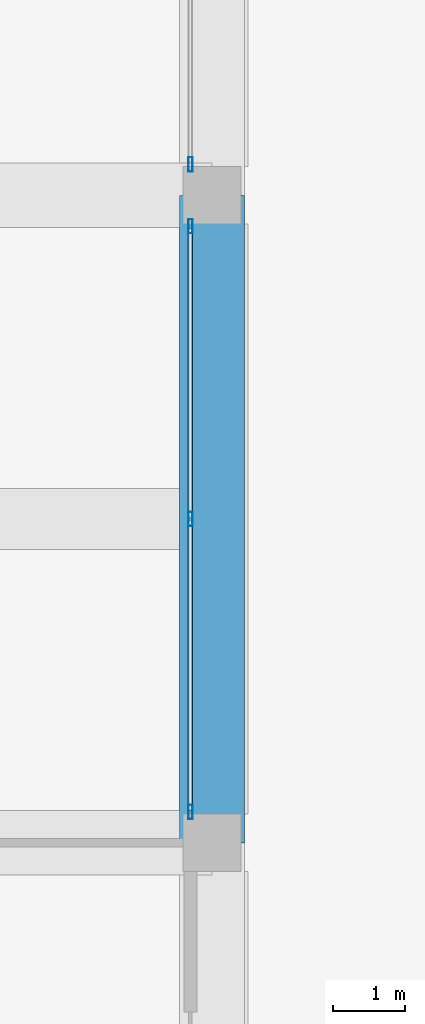
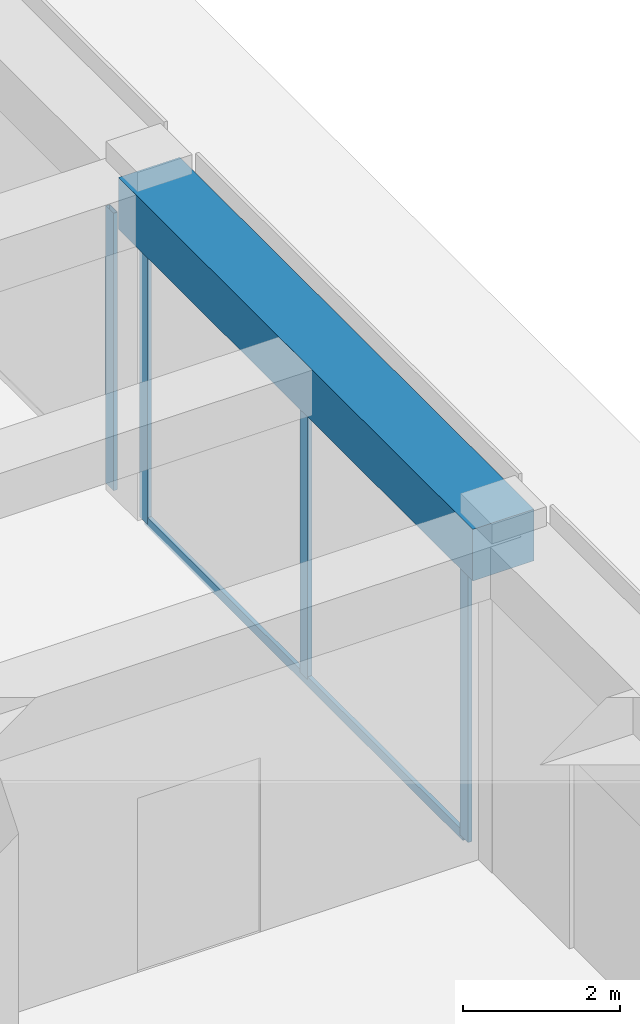
# One storey, part 33 of 56: 5 members, 1 beam, 2 elements without a shape of their own.
"""IFC4 building model written with IfcOpenShell, lengths in metres."""

from ifc_helpers import new_model, si_unit, direction, frame, origin, origin_2d, place, context, subcontext, project, spatial, rectangle, hollow_rectangle, extrude, material, material_profile, profile_set, type_object, element, aggregate, save


model = new_model("IFC4")

# Units and contexts
model_context = context("Model", 3, precision=1e-05, world=origin(), true_north=direction((0.0, 1.0)))
body_context = subcontext(model_context, "Body", "Model", "MODEL_VIEW")
ifc_project = project(units=[si_unit("LENGTHUNIT", "METRE"), si_unit("AREAUNIT", "SQUARE_METRE"), si_unit("VOLUMEUNIT", "CUBIC_METRE"), si_unit("PLANEANGLEUNIT", "RADIAN"), si_unit("MASSUNIT", "GRAM", prefix="KILO")], contexts=[model_context])

# Site, building, storey
site_placement = place(None, origin())
site = spatial("IfcSite", under=ifc_project, at=site_placement, CompositionType="ELEMENT")
building_placement = place(site_placement, origin())
building = spatial("IfcBuilding", under=site, at=building_placement, Name="Zorevar Civic Tower", CompositionType="ELEMENT")
storey_placement = place(building_placement, origin())
storey = spatial("IfcBuildingStorey", under=building, at=storey_placement, Name="L00", CompositionType="ELEMENT", Elevation=0.0)

# Curtain wall, members
ifc_material_1 = material(Name="Dark grey solar-control glass in black aluminium frame", Category="aluminium")
curtain_wall_type = type_object("IfcCurtainWallType", Name="Curtain wall CW1 podium", PredefinedType="NOTDEFINED", material=ifc_material_1)
curtain_wall_1_placement = place(storey_placement, origin())
curtain_wall_1 = element("IfcCurtainWall", 1, at=curtain_wall_1_placement, inside=storey, type_object=curtain_wall_type, Name="CW1 L00", PredefinedType="NOTDEFINED")
ifc_material_2 = material(Name="Aluminium, black anodised", Category="aluminium")
ifc_material_profile_1 = material_profile(ifc_material_2, hollow_rectangle(XDim=0.06005859375, YDim=0.199951171875, WallThickness=0.00390625, at=origin_2d()), Name="AL 200x60x4")
ifc_profile_set_1 = profile_set([ifc_material_profile_1], Name="Aluminium, black anodised")
member_type_1 = type_object("IfcMemberType", Name="CW1 mullion AL 200x60x4", PredefinedType="MULLION", material=ifc_profile_set_1)
member_1_placement = place(storey_placement, frame((71.699951171875, 18.429931640625, 0.0), z_axis=(0.0, 0.0, 1.0), x_axis=(-1.0, 0.0, 0.0)))
member_1 = element("IfcMember", 2, at=member_1_placement, type_object=member_type_1, Name="CW1 mullion 1", PredefinedType="MULLION", context=body_context, shape_type="SweptSolid", body=[
    extrude(hollow_rectangle(XDim=0.06005859375, YDim=0.199951171875, WallThickness=0.00390625, at=origin_2d()), origin(), (0.0, 0.0, 1.0), 4.300048828125),
])
member_2_placement = place(storey_placement, frame((71.699951171875, 22.5, 0.06005859375), z_axis=(0.0, 0.0, 1.0), x_axis=(-1.0, 0.0, 0.0)))
member_2 = element("IfcMember", 3, at=member_2_placement, type_object=member_type_1, Name="CW1 mullion 2", PredefinedType="MULLION", context=body_context, shape_type="SweptSolid", body=[
    extrude(hollow_rectangle(XDim=0.06005859375, YDim=0.199951171875, WallThickness=0.00390625, at=origin_2d()), origin(), (0.0, 0.0, 1.0), 4.239990234375),
])
member_3_placement = place(storey_placement, frame((71.699951171875, 26.570068359375, 0.0), z_axis=(0.0, 0.0, 1.0), x_axis=(-1.0, 0.0, 0.0)))
member_3 = element("IfcMember", 4, at=member_3_placement, type_object=member_type_1, Name="CW1 mullion 3", PredefinedType="MULLION", context=body_context, shape_type="SweptSolid", body=[
    extrude(hollow_rectangle(XDim=0.06005859375, YDim=0.199951171875, WallThickness=0.00390625, at=origin_2d()), origin(), (0.0, 0.0, 1.0), 4.300048828125),
])

# Curtain wall, member
curtain_wall_2_placement = place(storey_placement, origin())
curtain_wall_2 = element("IfcCurtainWall", 5, at=curtain_wall_2_placement, inside=storey, type_object=curtain_wall_type, Name="CW1 L00", PredefinedType="NOTDEFINED")
member_4_placement = place(storey_placement, frame((71.699951171875, 27.429931640625, 0.0), z_axis=(0.0, 0.0, 1.0), x_axis=(-1.0, 0.0, 0.0)))
member_4 = element("IfcMember", 6, at=member_4_placement, type_object=member_type_1, Name="CW1 mullion 1", PredefinedType="MULLION", context=body_context, shape_type="SweptSolid", body=[
    extrude(hollow_rectangle(XDim=0.06005859375, YDim=0.199951171875, WallThickness=0.00390625, at=origin_2d()), origin(), (0.0, 0.0, 1.0), 4.300048828125),
])
aggregate(curtain_wall_2, [member_4])

# Member
ifc_material_3 = material(Name="Aluminium, black anodised", Category="aluminium")
ifc_material_profile_2 = material_profile(ifc_material_3, hollow_rectangle(XDim=0.06005859375, YDim=0.14990234375, WallThickness=0.00390625, at=origin_2d()), Name="AL 150x60x4")
ifc_profile_set_2 = profile_set([ifc_material_profile_2], Name="Aluminium, black anodised")
member_type_2 = type_object("IfcMemberType", Name="CW1 transom AL 150x60x4", PredefinedType="USERDEFINED", material=ifc_profile_set_2)
member_5_placement = place(storey_placement, frame((71.699951171875, 18.4599609375, 0.030029296875), z_axis=(0.0, 1.0, 0.0), x_axis=(-1.0, 0.0, 0.0)))
member_5 = element("IfcMember", 7, at=member_5_placement, type_object=member_type_2, Name="CW1 sill transom", ObjectType="TRANSOM", PredefinedType="USERDEFINED", context=body_context, shape_type="SweptSolid", body=[
    extrude(hollow_rectangle(XDim=0.06005859375, YDim=0.14990234375, WallThickness=0.00390625, at=origin_2d()), origin(), (0.0, 0.0, 1.0), 8.080078125),
])

aggregate(curtain_wall_1, [member_1, member_2, member_3, member_5])

# Beam
ifc_material_4 = material(Name="Concrete C50/60", Category="concrete")
ifc_material_profile_3 = material_profile(ifc_material_4, rectangle(XDim=0.89990234375, YDim=0.800048828125, at=origin_2d()), Name="RC 900x800")
ifc_profile_set_3 = profile_set([ifc_material_profile_3], Name="Concrete C50/60")
beam_type = type_object("IfcBeamType", Name="Edge beam RC 900x800", PredefinedType="SPANDREL", material=ifc_profile_set_3)
beam_placement = place(storey_placement, frame((72.0, 18.0, 4.699951171875), z_axis=(0.0, 1.0, 0.0), x_axis=(-1.0, 0.0, 0.0)))
element("IfcBeam", 8, at=beam_placement, inside=storey, type_object=beam_type, Name="Edge beam L01", PredefinedType="SPANDREL", context=body_context, shape_type="SweptSolid", body=[
    extrude(rectangle(XDim=0.89990234375, YDim=0.800048828125, at=origin_2d()), origin(), (0.0, 0.0, 1.0), 9.0),
])

save(model, "model.ifc")
